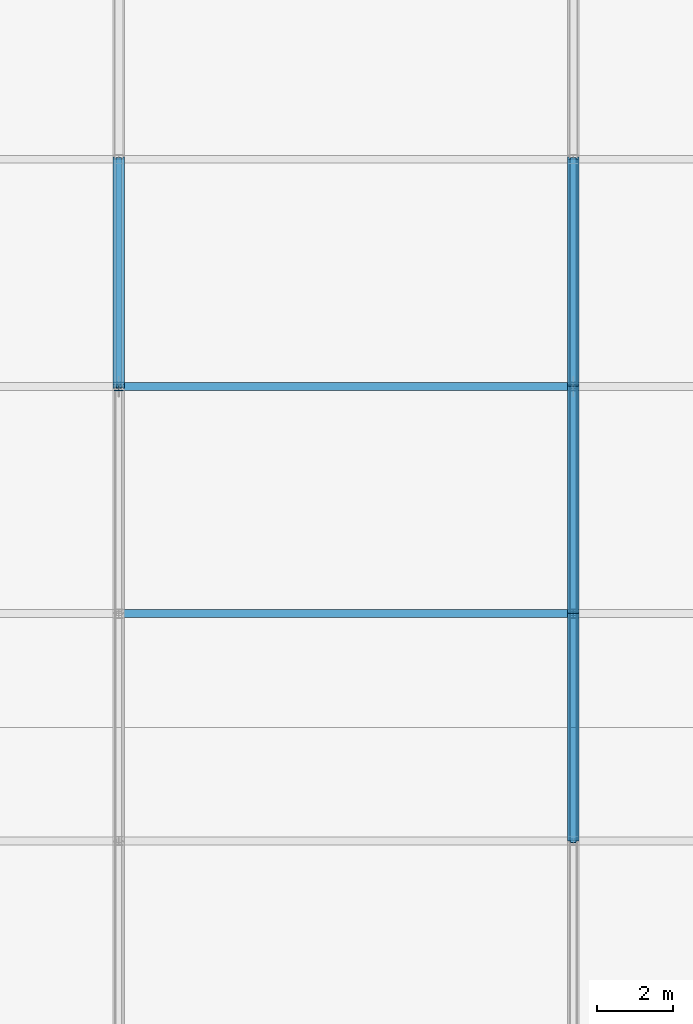
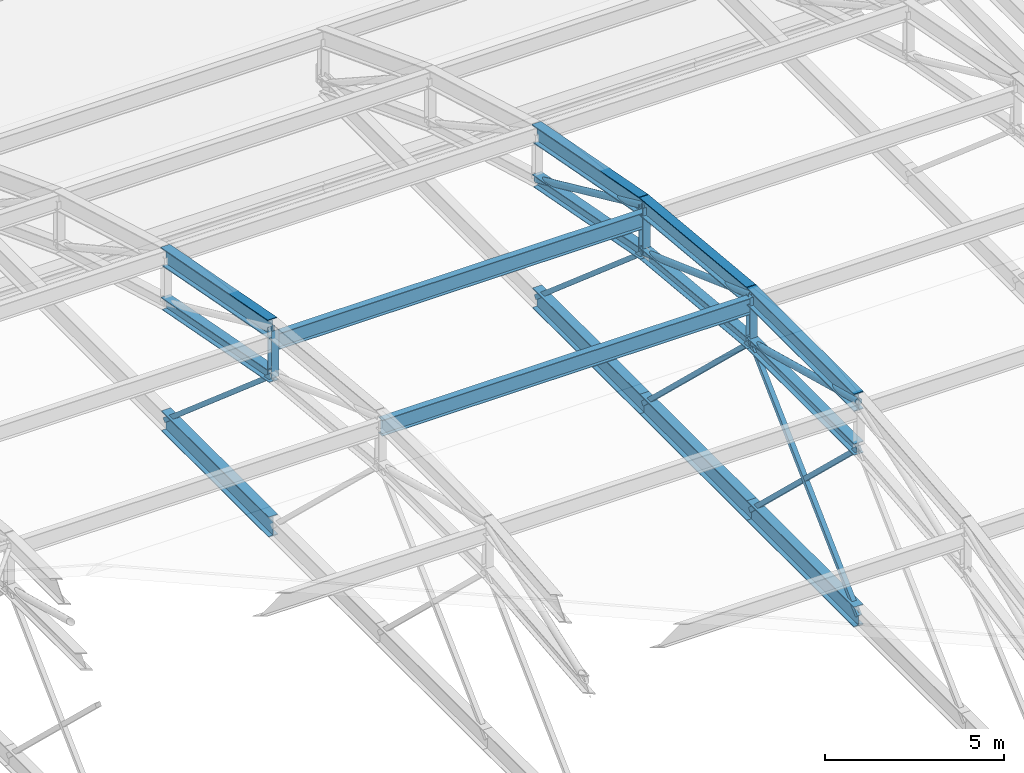
# One storey, part 124 of 204: 25 members.
"""IFC4 building model written with IfcOpenShell, lengths in metres."""

from ifc_helpers import new_model, si_unit, direction, frame, origin, origin_2d, place, context, subcontext, project, spatial, hollow_rectangle, hollow_circle, i_section, extrude, material, material_profile, profile_set, type_object, element, save


model = new_model("IFC4")

# Units and contexts
model_context = context("Model", 3, precision=1e-05, world=origin(), true_north=direction((0.0, 1.0)))
body_context = subcontext(model_context, "Body", "Model", "MODEL_VIEW")
ifc_project = project(units=[si_unit("LENGTHUNIT", "METRE"), si_unit("AREAUNIT", "SQUARE_METRE"), si_unit("VOLUMEUNIT", "CUBIC_METRE"), si_unit("PLANEANGLEUNIT", "RADIAN"), si_unit("MASSUNIT", "GRAM", prefix="KILO")], contexts=[model_context])

# Site, building, storey
site_placement = place(None, origin())
site = spatial("IfcSite", under=ifc_project, at=site_placement, CompositionType="ELEMENT")
building_placement = place(site_placement, origin())
building = spatial("IfcBuilding", under=site, at=building_placement, Name="Zilviju Railside Exhibition Hall", CompositionType="ELEMENT")
storey_placement = place(building_placement, frame((0.0, 0.0, 21.0)))
storey = spatial("IfcBuildingStorey", under=building, at=storey_placement, Name="RF", CompositionType="ELEMENT", Elevation=21.0)

# Members
ifc_material = material(Name="Steel S355J2", Category="steel")
ifc_material_profile_1 = material_profile(ifc_material, hollow_circle(Radius=0.109619140625, WallThickness=0.010009765625, at=origin_2d()), Name="CHS 219.1x10.0")
ifc_profile_set_1 = profile_set([ifc_material_profile_1], Name="Steel S355J2")
member_type_1 = type_object("IfcMemberType", Name="TR-BR-CHS219", PredefinedType="BRACE", material=ifc_profile_set_1)
member_1_placement = place(storey_placement, frame((156.0, 108.0, 3.728515625), z_axis=(0.0, 0.966231024199, -0.25767733287), x_axis=(-1.0, 0.0, 0.0)))
element("IfcMember", 1, at=member_1_placement, inside=storey, type_object=member_type_1, Name="V2 Parabolic Arch Web Diagonal X=156.0 P5", PredefinedType="BRACE", context=body_context, shape_type="SweptSolid", body=[
    extrude(hollow_circle(Radius=0.109619140625, WallThickness=0.010009765625, at=origin_2d()), origin(), (0.0, 0.0, 1.0), 6.209716796875),
])
member_2_placement = place(storey_placement, frame((156.0, 114.0, 3.728515625), z_axis=(0.0, 0.940243888255, -0.340501733621), x_axis=(-1.0, 0.0, 0.0)))
element("IfcMember", 2, at=member_2_placement, inside=storey, type_object=member_type_1, Name="V2 Parabolic Arch Web Diagonal X=156.0 P6", PredefinedType="BRACE", context=body_context, shape_type="SweptSolid", body=[
    extrude(hollow_circle(Radius=0.109619140625, WallThickness=0.010009765625, at=origin_2d()), origin(), (0.0, 0.0, 1.0), 6.38134765625),
])
member_3_placement = place(storey_placement, frame((156.0, 120.0, 3.155517578125), z_axis=(0.0, 0.909316915895, -0.416104249518), x_axis=(-1.0, 0.0, 0.0)))
element("IfcMember", 3, at=member_3_placement, inside=storey, type_object=member_type_1, Name="V2 Parabolic Arch Web Diagonal X=156.0 P7", PredefinedType="BRACE", context=body_context, shape_type="SweptSolid", body=[
    extrude(hollow_circle(Radius=0.109619140625, WallThickness=0.010009765625, at=origin_2d()), origin(), (0.0, 0.0, 1.0), 6.598388671875),
])
ifc_material_profile_2 = material_profile(ifc_material, i_section(OverallWidth=0.300048828125, OverallDepth=0.39990234375, WebThickness=0.013427734375, FlangeThickness=0.02392578125, at=origin_2d()), Name="HEB 400")
ifc_profile_set_2 = profile_set([ifc_material_profile_2], Name="Steel S355J2")
member_type_2 = type_object("IfcMemberType", Name="TR-CH-HEB400", PredefinedType="CHORD", material=ifc_profile_set_2)
member_4_placement = place(storey_placement, frame((144.0, 120.0, 1.5556640625), z_axis=(0.0, 0.98225135267, -0.187569400964), x_axis=(-1.0, 0.0, 0.0)))
element("IfcMember", 4, at=member_4_placement, inside=storey, type_object=member_type_2, Name="V2 Parabolic Arch Bottom Chord X=144.0 P7", PredefinedType="CHORD", context=body_context, shape_type="SweptSolid", body=[
    extrude(i_section(OverallWidth=0.300048828125, OverallDepth=0.39990234375, WebThickness=0.013427734375, FlangeThickness=0.02392578125, at=origin_2d()), origin(), (0.0, 0.0, 1.0), 6.1083984375),
])
member_5_placement = place(storey_placement, frame((156.0, 108.0, 2.12841796875), z_axis=(0.0, 1.0, 0.0), x_axis=(-1.0, 0.0, 0.0)))
element("IfcMember", 5, at=member_5_placement, inside=storey, type_object=member_type_2, Name="V2 Parabolic Arch Bottom Chord X=156.0 P5", PredefinedType="CHORD", context=body_context, shape_type="SweptSolid", body=[
    extrude(i_section(OverallWidth=0.300048828125, OverallDepth=0.39990234375, WebThickness=0.013427734375, FlangeThickness=0.02392578125, at=origin_2d()), origin(), (0.0, 0.0, 1.0), 6.0),
])
member_6_placement = place(storey_placement, frame((156.0, 114.0, 2.12841796875), z_axis=(0.0, 0.995474695123, -0.095027003367), x_axis=(-1.0, 0.0, 0.0)))
element("IfcMember", 6, at=member_6_placement, inside=storey, type_object=member_type_2, Name="V2 Parabolic Arch Bottom Chord X=156.0 P6", PredefinedType="CHORD", context=body_context, shape_type="SweptSolid", body=[
    extrude(i_section(OverallWidth=0.300048828125, OverallDepth=0.39990234375, WebThickness=0.013427734375, FlangeThickness=0.02392578125, at=origin_2d()), origin(), (0.0, 0.0, 1.0), 6.02734375),
])
member_7_placement = place(storey_placement, frame((156.0, 120.0, 1.5556640625), z_axis=(0.0, 0.98225135267, -0.187569400964), x_axis=(-1.0, 0.0, 0.0)))
element("IfcMember", 7, at=member_7_placement, inside=storey, type_object=member_type_2, Name="V2 Parabolic Arch Bottom Chord X=156.0 P7", PredefinedType="CHORD", context=body_context, shape_type="SweptSolid", body=[
    extrude(i_section(OverallWidth=0.300048828125, OverallDepth=0.39990234375, WebThickness=0.013427734375, FlangeThickness=0.02392578125, at=origin_2d()), origin(), (0.0, 0.0, 1.0), 6.1083984375),
])
ifc_material_profile_3 = material_profile(ifc_material, i_section(OverallWidth=0.300048828125, OverallDepth=0.60009765625, WebThickness=0.015380859375, FlangeThickness=0.030029296875, at=origin_2d()), Name="HEB 600")
ifc_profile_set_3 = profile_set([ifc_material_profile_3], Name="Steel S355J2")
member_type_3 = type_object("IfcMemberType", Name="TR-CH-HEB600", PredefinedType="CHORD", material=ifc_profile_set_3)
member_8_placement = place(storey_placement, frame((144.0, 120.0, 3.155517578125), z_axis=(0.0, 0.98225135267, -0.187569400964), x_axis=(-1.0, 0.0, 0.0)))
element("IfcMember", 8, at=member_8_placement, inside=storey, type_object=member_type_3, Name="V2 Parabolic Arch Top Chord X=144.0 P7", PredefinedType="CHORD", context=body_context, shape_type="SweptSolid", body=[
    extrude(i_section(OverallWidth=0.300048828125, OverallDepth=0.60009765625, WebThickness=0.015380859375, FlangeThickness=0.030029296875, at=origin_2d()), origin(), (0.0, 0.0, 1.0), 6.1083984375),
])
member_9_placement = place(storey_placement, frame((156.0, 108.0, 3.728515625), z_axis=(0.0, 1.0, 0.0), x_axis=(-1.0, 0.0, 0.0)))
element("IfcMember", 9, at=member_9_placement, inside=storey, type_object=member_type_3, Name="V2 Parabolic Arch Top Chord X=156.0 P5", PredefinedType="CHORD", context=body_context, shape_type="SweptSolid", body=[
    extrude(i_section(OverallWidth=0.300048828125, OverallDepth=0.60009765625, WebThickness=0.015380859375, FlangeThickness=0.030029296875, at=origin_2d()), origin(), (0.0, 0.0, 1.0), 6.0),
])
member_10_placement = place(storey_placement, frame((156.0, 114.0, 3.728515625), z_axis=(0.0, 0.995470862587, -0.095067143331), x_axis=(-1.0, 0.0, 0.0)))
element("IfcMember", 10, at=member_10_placement, inside=storey, type_object=member_type_3, Name="V2 Parabolic Arch Top Chord X=156.0 P6", PredefinedType="CHORD", context=body_context, shape_type="SweptSolid", body=[
    extrude(i_section(OverallWidth=0.300048828125, OverallDepth=0.60009765625, WebThickness=0.015380859375, FlangeThickness=0.030029296875, at=origin_2d()), origin(), (0.0, 0.0, 1.0), 6.02734375),
])
member_11_placement = place(storey_placement, frame((156.0, 120.0, 3.155517578125), z_axis=(0.0, 0.98225135267, -0.187569400964), x_axis=(-1.0, 0.0, 0.0)))
element("IfcMember", 11, at=member_11_placement, inside=storey, type_object=member_type_3, Name="V2 Parabolic Arch Top Chord X=156.0 P7", PredefinedType="CHORD", context=body_context, shape_type="SweptSolid", body=[
    extrude(i_section(OverallWidth=0.300048828125, OverallDepth=0.60009765625, WebThickness=0.015380859375, FlangeThickness=0.030029296875, at=origin_2d()), origin(), (0.0, 0.0, 1.0), 6.1083984375),
])
ifc_material_profile_4 = material_profile(ifc_material, i_section(OverallWidth=0.239990234375, OverallDepth=0.22998046875, WebThickness=0.007568359375, FlangeThickness=0.011962890625, at=origin_2d()), Name="HEA 240")
ifc_profile_set_4 = profile_set([ifc_material_profile_4], Name="Steel S355J2")
member_type_4 = type_object("IfcMemberType", Name="TR-POST-HEA240", PredefinedType="POST", material=ifc_profile_set_4)
member_12_placement = place(storey_placement, frame((144.0, 120.0, 1.5556640625), z_axis=(0.0, 0.0, 1.0), x_axis=(1.0, 0.0, 0.0)))
element("IfcMember", 12, at=member_12_placement, inside=storey, type_object=member_type_4, Name="V2 Parabolic Arch Web Post X=144.0 N6", PredefinedType="POST", context=body_context, shape_type="SweptSolid", body=[
    extrude(i_section(OverallWidth=0.239990234375, OverallDepth=0.22998046875, WebThickness=0.007568359375, FlangeThickness=0.011962890625, at=origin_2d()), origin(), (0.0, 0.0, 1.0), 1.599853515625),
])
member_13_placement = place(storey_placement, frame((156.0, 114.0, 2.12841796875), z_axis=(0.0, 0.0, 1.0), x_axis=(1.0, 0.0, 0.0)))
element("IfcMember", 13, at=member_13_placement, inside=storey, type_object=member_type_4, Name="V2 Parabolic Arch Web Post X=156.0 N5", PredefinedType="POST", context=body_context, shape_type="SweptSolid", body=[
    extrude(i_section(OverallWidth=0.239990234375, OverallDepth=0.22998046875, WebThickness=0.007568359375, FlangeThickness=0.011962890625, at=origin_2d()), origin(), (0.0, 0.0, 1.0), 1.60009765625),
])
member_14_placement = place(storey_placement, frame((156.0, 120.0, 1.5556640625), z_axis=(0.0, 0.0, 1.0), x_axis=(1.0, 0.0, 0.0)))
element("IfcMember", 14, at=member_14_placement, inside=storey, type_object=member_type_4, Name="V2 Parabolic Arch Web Post X=156.0 N6", PredefinedType="POST", context=body_context, shape_type="SweptSolid", body=[
    extrude(i_section(OverallWidth=0.239990234375, OverallDepth=0.22998046875, WebThickness=0.007568359375, FlangeThickness=0.011962890625, at=origin_2d()), origin(), (0.0, 0.0, 1.0), 1.599853515625),
])
ifc_material_profile_5 = material_profile(ifc_material, hollow_rectangle(XDim=0.14990234375, YDim=0.14990234375, WallThickness=0.008056640625, at=origin_2d()), Name="SHS 150x150x8.0")
ifc_profile_set_5 = profile_set([ifc_material_profile_5], Name="Steel S355J2")
member_type_5 = type_object("IfcMemberType", Name="TR-POST-SHS150", PredefinedType="POST", material=ifc_profile_set_5)
member_15_placement = place(storey_placement, frame((144.0, 126.0, -3.60009765625), z_axis=(0.0, -0.758449992634, 0.651731239602), x_axis=(1.0, 0.0, 0.0)))
element("IfcMember", 15, at=member_15_placement, inside=storey, type_object=member_type_5, Name="V2 Arch Tie Hanger X=144.0 N7", PredefinedType="POST", context=body_context, shape_type="SweptSolid", body=[
    extrude(hollow_rectangle(XDim=0.14990234375, YDim=0.14990234375, WallThickness=0.008056640625, at=origin_2d()), origin(), (0.0, 0.0, 1.0), 7.910888671875),
])
for number, where, z_axis, x_axis, name in (
    (16, (156.0, 108.0, -3.60009765625), (0.0, 0.723280707221, 0.690554138763), (-1.0, 0.0, 0.0), "V2 Arch Tie Hanger X=156.0 N4"),
    (17, (156.0, 114.0, -3.60009765625), (0.0, -0.723280707221, 0.690554138763), (1.0, 0.0, 0.0), "V2 Arch Tie Hanger X=156.0 N5"),
    (18, (156.0, 120.0, -3.60009765625), (0.0, -0.723280707221, 0.690554138763), (1.0, 0.0, 0.0), "V2 Arch Tie Hanger X=156.0 N6"),
):
    element("IfcMember", number, at=place(storey_placement, frame(where, z_axis=z_axis, x_axis=x_axis)), inside=storey, type_object=member_type_5, Name=name, PredefinedType="POST", context=body_context, shape_type="SweptSolid", body=[
        extrude(hollow_rectangle(XDim=0.14990234375, YDim=0.14990234375, WallThickness=0.008056640625, at=origin_2d()), origin(), (0.0, 0.0, 1.0), 8.295654296875),
    ])
member_16_placement = place(storey_placement, frame((156.0, 126.0, -3.60009765625), z_axis=(0.0, -0.758449992634, 0.651731239602), x_axis=(1.0, 0.0, 0.0)))
element("IfcMember", 19, at=member_16_placement, inside=storey, type_object=member_type_5, Name="V2 Arch Tie Hanger X=156.0 N7", PredefinedType="POST", context=body_context, shape_type="SweptSolid", body=[
    extrude(hollow_rectangle(XDim=0.14990234375, YDim=0.14990234375, WallThickness=0.008056640625, at=origin_2d()), origin(), (0.0, 0.0, 1.0), 7.910888671875),
])
ifc_material_profile_6 = material_profile(ifc_material, i_section(OverallWidth=0.2099609375, OverallDepth=0.550048828125, WebThickness=0.010986328125, FlangeThickness=0.01708984375, at=origin_2d()), Name="IPE 550")
ifc_profile_set_6 = profile_set([ifc_material_profile_6], Name="Steel S355J2")
member_type_6 = type_object("IfcMemberType", Name="TR-PUR-IPE550", PredefinedType="PURLIN", material=ifc_profile_set_6)
for number, where, z_axis, x_axis, name in (
    (20, (144.0, 114.0, 3.4326171875), (1.0, 0.0, 0.0), (0.0, 1.0, 0.0), "V2 Barrel Vault Roof Purlin Y=114.0 (144.0..156.0)"),
    (21, (144.0, 120.0, 2.716796875), (1.0, 0.0, 0.0), (0.0, 1.0, 0.0), "V2 Barrel Vault Roof Purlin Y=120.0 (144.0..156.0)"),
):
    element("IfcMember", number, at=place(storey_placement, frame(where, z_axis=z_axis, x_axis=x_axis)), inside=storey, type_object=member_type_6, Name=name, PredefinedType="PURLIN", context=body_context, shape_type="SweptSolid", body=[
        extrude(i_section(OverallWidth=0.2099609375, OverallDepth=0.550048828125, WebThickness=0.010986328125, FlangeThickness=0.01708984375, at=origin_2d()), origin(), (0.0, 0.0, 1.0), 12.0),
    ])
ifc_material_profile_7 = material_profile(ifc_material, i_section(OverallWidth=0.300048828125, OverallDepth=0.699951171875, WebThickness=0.01708984375, FlangeThickness=0.031982421875, at=origin_2d()), Name="HEB 700")
ifc_profile_set_7 = profile_set([ifc_material_profile_7], Name="Steel S355J2")
member_type_7 = type_object("IfcMemberType", Name="TR-TIE-HEB700", PredefinedType="CHORD", material=ifc_profile_set_7)
for number, where, z_axis, x_axis, name in (
    (22, (144.0, 120.0, -3.60009765625), (0.0, 1.0, 0.0), (-1.0, 0.0, 0.0), "V2 Arch Tie Member X=144.0"),
    (23, (156.0, 108.0, -3.60009765625), (0.0, 1.0, 0.0), (-1.0, 0.0, 0.0), "V2 Arch Tie Member X=156.0"),
    (24, (156.0, 114.0, -3.60009765625), (0.0, 1.0, 0.0), (-1.0, 0.0, 0.0), "V2 Arch Tie Member X=156.0"),
    (25, (156.0, 120.0, -3.60009765625), (0.0, 1.0, 0.0), (-1.0, 0.0, 0.0), "V2 Arch Tie Member X=156.0"),
):
    element("IfcMember", number, at=place(storey_placement, frame(where, z_axis=z_axis, x_axis=x_axis)), inside=storey, type_object=member_type_7, Name=name, PredefinedType="CHORD", context=body_context, shape_type="SweptSolid", body=[
        extrude(i_section(OverallWidth=0.300048828125, OverallDepth=0.699951171875, WebThickness=0.01708984375, FlangeThickness=0.031982421875, at=origin_2d()), origin(), (0.0, 0.0, 1.0), 6.0),
    ])

save(model, "model.ifc")
